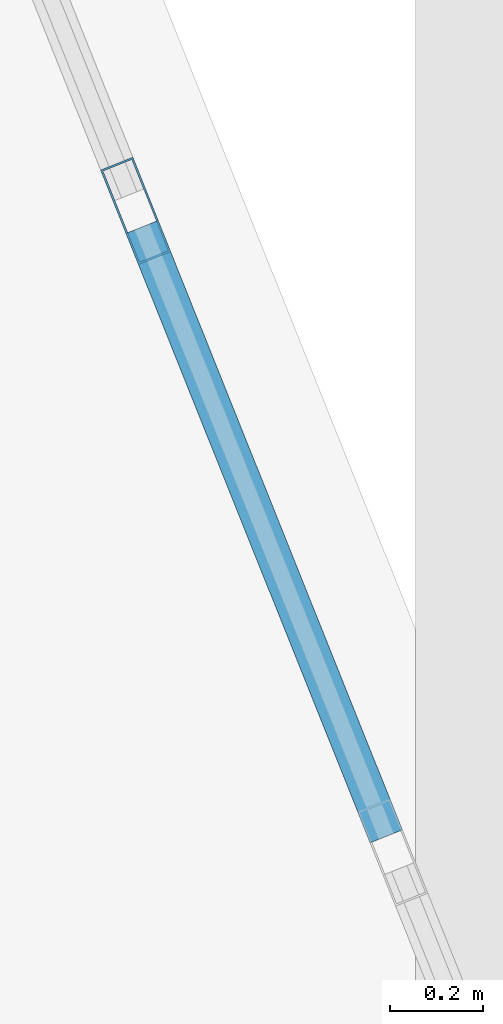
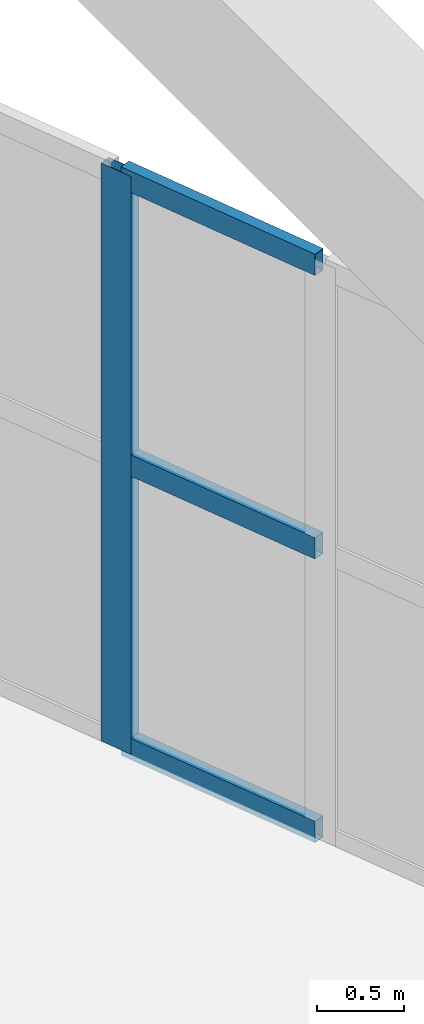
# One storey, part 22 of 34: 4 members, 1 element without a shape of its own.
"""IFC4 building model written with IfcOpenShell, lengths in metres."""

from ifc_helpers import new_model, si_unit, direction, frame, origin, origin_2d, place, context, subcontext, project, spatial, hollow_rectangle, extrude, material, layer, layer_set, material_profile, profile_set, type_object, element, aggregate, save


model = new_model("IFC4")

# Units and contexts
model_context = context("Model", 3, precision=1e-05, world=origin(), true_north=direction((0.0, 1.0)))
body_context = subcontext(model_context, "Body", "Model", "MODEL_VIEW")
ifc_project = project(units=[si_unit("LENGTHUNIT", "METRE"), si_unit("AREAUNIT", "SQUARE_METRE"), si_unit("VOLUMEUNIT", "CUBIC_METRE"), si_unit("PLANEANGLEUNIT", "RADIAN"), si_unit("MASSUNIT", "GRAM", prefix="KILO")], contexts=[model_context])

# Site, building, storey
site_placement = place(None, origin())
site = spatial("IfcSite", under=ifc_project, at=site_placement, CompositionType="ELEMENT")
building_placement = place(site_placement, origin())
building = spatial("IfcBuilding", under=site, at=building_placement, Name="Kilnhurst Terrace Hotel", CompositionType="ELEMENT")
storey_placement = place(building_placement, frame((0.0, 0.0, 6.0)))
storey = spatial("IfcBuildingStorey", under=building, at=storey_placement, Name="L01", CompositionType="ELEMENT", Elevation=6.0)

# Curtain wall, members
ifc_material_1 = material(Name="Anodized Aluminium Alloy 6063-T6 and Low-E Glass", Category="aluminium")
ifc_layer = layer(ifc_material_1, 0.219970703125, Name="Anodized Aluminium Alloy 6063-T6 and Low-E Glass")
ifc_layer_set = layer_set([ifc_layer], Name="Anodized Aluminium Alloy 6063-T6 and Low-E Glass")
curtain_wall_type = type_object("IfcCurtainWallType", Name="CW-POD-LOBBY", PredefinedType="NOTDEFINED", material=ifc_layer_set)
curtain_wall_placement = place(storey_placement, origin())
curtain_wall = element("IfcCurtainWall", 1, at=curtain_wall_placement, inside=storey, type_object=curtain_wall_type, Name="L01 Curtain Wall CW-L01-F3-1", PredefinedType="NOTDEFINED")
ifc_material_2 = material(Name="Extruded Aluminium Alloy 6063-T6", Category="aluminium")
ifc_material_profile_1 = material_profile(ifc_material_2, hollow_rectangle(XDim=0.074951171875, YDim=0.219970703125, WallThickness=0.00390625, at=origin_2d()), Name="CWM75X220")
ifc_profile_set_1 = profile_set([ifc_material_profile_1], Name="Extruded Aluminium Alloy 6063-T6")
member_type_1 = type_object("IfcMemberType", Name="MEM-CWM75X220", PredefinedType="MULLION", material=ifc_profile_set_1)
member_1_placement = place(storey_placement, frame((26.620849609375, 14.469482421875, 0.0), z_axis=(0.0, 0.0, 1.0), x_axis=(-0.928250672463, -0.371955224552, 0.0)))
member_1 = element("IfcMember", 2, at=member_1_placement, type_object=member_type_1, Name="CWL-1 mullion 5", PredefinedType="MULLION", context=body_context, shape_type="SweptSolid", body=[
    extrude(hollow_rectangle(XDim=0.074951171875, YDim=0.219970703125, WallThickness=0.00390625, at=origin_2d()), origin(), (0.0, 0.0, 1.0), 4.050048828125),
])
ifc_material_profile_2 = material_profile(ifc_material_2, hollow_rectangle(XDim=0.074951171875, YDim=0.14990234375, WallThickness=0.00390625, at=origin_2d()), Name="CWT75X150")
ifc_profile_set_2 = profile_set([ifc_material_profile_2], Name="Extruded Aluminium Alloy 6063-T6")
member_type_2 = type_object("IfcMemberType", Name="MEM-CWT75X150", PredefinedType="USERDEFINED", material=ifc_profile_set_2)
member_2_placement = place(storey_placement, frame((27.162109375, 13.118408203125, 0.03759765625), z_axis=(-0.371924989829, 0.928262787114, 0.0), x_axis=(-0.928262787114, -0.371924989829, 0.0)))
member_2 = element("IfcMember", 3, at=member_2_placement, type_object=member_type_2, Name="CWL-1 transom 4.1", ObjectType="TRANSOM", PredefinedType="USERDEFINED", context=body_context, shape_type="SweptSolid", body=[
    extrude(hollow_rectangle(XDim=0.074951171875, YDim=0.14990234375, WallThickness=0.00390625, at=origin_2d()), origin(), (0.0, 0.0, 1.0), 1.41796875),
])
member_3_placement = place(storey_placement, frame((27.162109375, 13.118408203125, 2.02490234375), z_axis=(-0.371924989829, 0.928262787114, 0.0), x_axis=(-0.928262787114, -0.371924989829, 0.0)))
member_3 = element("IfcMember", 4, at=member_3_placement, type_object=member_type_2, Name="CWL-1 transom 4.2", ObjectType="TRANSOM", PredefinedType="USERDEFINED", context=body_context, shape_type="SweptSolid", body=[
    extrude(hollow_rectangle(XDim=0.074951171875, YDim=0.14990234375, WallThickness=0.00390625, at=origin_2d()), origin(), (0.0, 0.0, 1.0), 1.41796875),
])
member_4_placement = place(storey_placement, frame((27.162109375, 13.118408203125, 4.012451171875), z_axis=(-0.371924989829, 0.928262787114, 0.0), x_axis=(-0.928262787114, -0.371924989829, 0.0)))
member_4 = element("IfcMember", 5, at=member_4_placement, type_object=member_type_2, Name="CWL-1 transom 4.3", ObjectType="TRANSOM", PredefinedType="USERDEFINED", context=body_context, shape_type="SweptSolid", body=[
    extrude(hollow_rectangle(XDim=0.074951171875, YDim=0.14990234375, WallThickness=0.00390625, at=origin_2d()), origin(), (0.0, 0.0, 1.0), 1.41796875),
])
aggregate(curtain_wall, [member_1, member_2, member_3, member_4])

save(model, "model.ifc")
